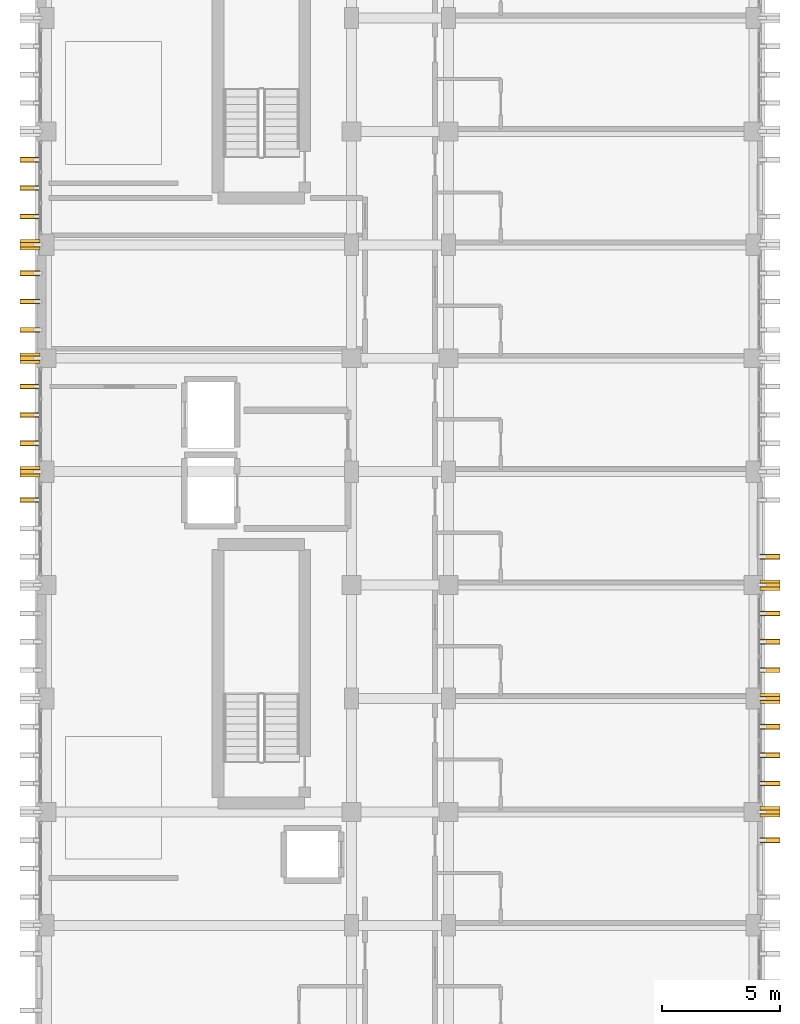
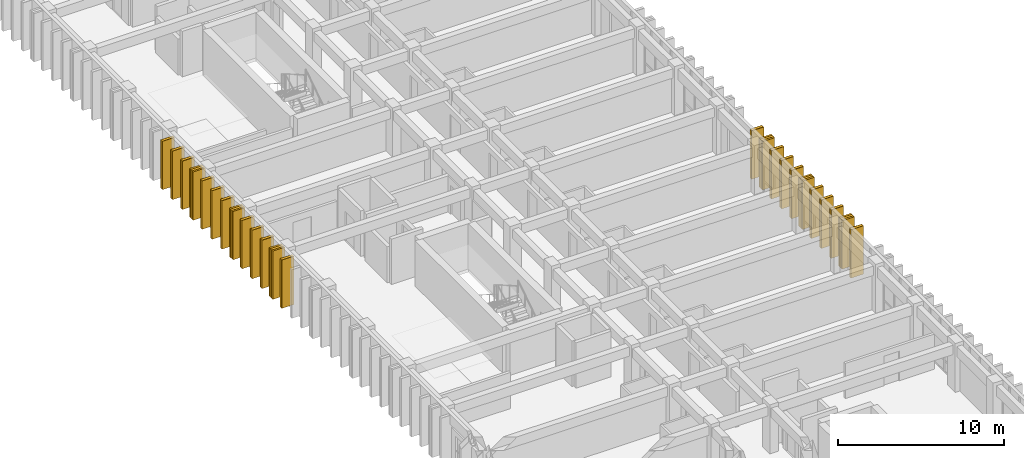
# One storey, part 79 of 82: 24 coverings, 24 shading devices.
"""IFC4 building model written with IfcOpenShell, lengths in metres."""

from ifc_helpers import new_model, si_unit, direction, frame, origin, origin_2d, place, context, subcontext, project, spatial, rectangle, extrude, material, layer, layer_set, type_object, element, save


model = new_model("IFC4")

# Units and contexts
model_context = context("Model", 3, precision=1e-05, world=origin(), true_north=direction((0.0, 1.0)))
body_context = subcontext(model_context, "Body", "Model", "MODEL_VIEW")
ifc_project = project(units=[si_unit("LENGTHUNIT", "METRE"), si_unit("AREAUNIT", "SQUARE_METRE"), si_unit("VOLUMEUNIT", "CUBIC_METRE"), si_unit("PLANEANGLEUNIT", "RADIAN"), si_unit("MASSUNIT", "GRAM", prefix="KILO")], contexts=[model_context])

# Site, building, storey
site_placement = place(None, origin())
site = spatial("IfcSite", under=ifc_project, at=site_placement, CompositionType="ELEMENT")
building_placement = place(site_placement, origin())
building = spatial("IfcBuilding", under=site, at=building_placement, Name="Nakhvara Creek Congress Hotel", CompositionType="ELEMENT")
storey_placement = place(building_placement, frame((0.0, 0.0, 21.0)))
storey = spatial("IfcBuildingStorey", under=building, at=storey_placement, Name="L04", CompositionType="ELEMENT", Elevation=21.0)

# Coverings
ifc_material_1 = material(Name="Honed pale Omani limestone architectural cladding", Category="masonry")
ifc_layer = layer(ifc_material_1, 0.219970703125)
ifc_layer_set = layer_set([ifc_layer], Name="Honed pale Omani limestone architectural cladding")
covering_type = type_object("IfcCoveringType", Name="COV-FIN-850", PredefinedType="CLADDING", material=ifc_layer_set)
covering_1_placement = place(storey_placement, frame((180.054931640625, 75.60009765625, 0.0), z_axis=(0.0, 0.0, 1.0), x_axis=(0.0, 1.0, 0.0)))
element("IfcCovering", 1, at=covering_1_placement, inside=storey, type_object=covering_type, Name="Pale Limestone Fin Cladding CF01-1290", PredefinedType="CLADDING", context=body_context, shape_type="SweptSolid", body=[
    extrude(rectangle(XDim=0.219970703125, YDim=0.85009765625, at=origin_2d()), origin(), (0.0, 0.0, 1.0), 3.56005859375),
])
covering_2_placement = place(storey_placement, frame((180.054931640625, 76.800048828125, 0.0), z_axis=(0.0, 0.0, 1.0), x_axis=(0.0, 1.0, 0.0)))
element("IfcCovering", 2, at=covering_2_placement, inside=storey, type_object=covering_type, Name="Pale Limestone Fin Cladding CF01-1292", PredefinedType="CLADDING", context=body_context, shape_type="SweptSolid", body=[
    extrude(rectangle(XDim=0.43994140625, YDim=0.85009765625, at=origin_2d()), origin(), (0.0, 0.0, 1.0), 3.56005859375),
])
for number, where, z_axis, x_axis, name in (
    (3, (180.054931640625, 78.0, 0.0), (0.0, 0.0, 1.0), (0.0, 1.0, 0.0), "Pale Limestone Fin Cladding CF01-1294"),
    (4, (180.054931640625, 79.199951171875, 0.0), (0.0, 0.0, 1.0), (0.0, 1.0, 0.0), "Pale Limestone Fin Cladding CF01-1296"),
    (5, (180.054931640625, 80.39990234375, 0.0), (0.0, 0.0, 1.0), (0.0, 1.0, 0.0), "Pale Limestone Fin Cladding CF01-1298"),
):
    element("IfcCovering", number, at=place(storey_placement, frame(where, z_axis=z_axis, x_axis=x_axis)), inside=storey, type_object=covering_type, Name=name, PredefinedType="CLADDING", context=body_context, shape_type="SweptSolid", body=[
        extrude(rectangle(XDim=0.219970703125, YDim=0.85009765625, at=origin_2d()), origin(), (0.0, 0.0, 1.0), 3.56005859375),
    ])
covering_3_placement = place(storey_placement, frame((180.054931640625, 81.60009765625, 0.0), z_axis=(0.0, 0.0, 1.0), x_axis=(0.0, 1.0, 0.0)))
element("IfcCovering", 6, at=covering_3_placement, inside=storey, type_object=covering_type, Name="Pale Limestone Fin Cladding CF01-1300", PredefinedType="CLADDING", context=body_context, shape_type="SweptSolid", body=[
    extrude(rectangle(XDim=0.43994140625, YDim=0.85009765625, at=origin_2d()), origin(), (0.0, 0.0, 1.0), 3.56005859375),
])
for number, where, z_axis, x_axis, name in (
    (7, (180.054931640625, 82.800048828125, 0.0), (0.0, 0.0, 1.0), (0.0, 1.0, 0.0), "Pale Limestone Fin Cladding CF01-1302"),
    (8, (180.054931640625, 84.0, 0.0), (0.0, 0.0, 1.0), (0.0, 1.0, 0.0), "Pale Limestone Fin Cladding CF01-1304"),
    (9, (180.054931640625, 85.199951171875, 0.0), (0.0, 0.0, 1.0), (0.0, 1.0, 0.0), "Pale Limestone Fin Cladding CF01-1306"),
):
    element("IfcCovering", number, at=place(storey_placement, frame(where, z_axis=z_axis, x_axis=x_axis)), inside=storey, type_object=covering_type, Name=name, PredefinedType="CLADDING", context=body_context, shape_type="SweptSolid", body=[
        extrude(rectangle(XDim=0.219970703125, YDim=0.85009765625, at=origin_2d()), origin(), (0.0, 0.0, 1.0), 3.56005859375),
    ])
covering_4_placement = place(storey_placement, frame((180.054931640625, 86.39990234375, 0.0), z_axis=(0.0, 0.0, 1.0), x_axis=(0.0, 1.0, 0.0)))
element("IfcCovering", 10, at=covering_4_placement, inside=storey, type_object=covering_type, Name="Pale Limestone Fin Cladding CF01-1308", PredefinedType="CLADDING", context=body_context, shape_type="SweptSolid", body=[
    extrude(rectangle(XDim=0.43994140625, YDim=0.85009765625, at=origin_2d()), origin(), (0.0, 0.0, 1.0), 3.56005859375),
])
for number, where, z_axis, x_axis, name in (
    (11, (180.054931640625, 87.60009765625, 0.0), (0.0, 0.0, 1.0), (0.0, 1.0, 0.0), "Pale Limestone Fin Cladding CF01-1310"),
    (12, (148.7451171875, 90.0, 0.0), (0.0, 0.0, 1.0), (0.0, 1.0, 0.0), "Pale Limestone Fin Cladding CF01-1314"),
):
    element("IfcCovering", number, at=place(storey_placement, frame(where, z_axis=z_axis, x_axis=x_axis)), inside=storey, type_object=covering_type, Name=name, PredefinedType="CLADDING", context=body_context, shape_type="SweptSolid", body=[
        extrude(rectangle(XDim=0.219970703125, YDim=0.85009765625, at=origin_2d()), origin(), (0.0, 0.0, 1.0), 3.56005859375),
    ])
covering_5_placement = place(storey_placement, frame((148.7451171875, 91.199951171875, 0.0), z_axis=(0.0, 0.0, 1.0), x_axis=(0.0, 1.0, 0.0)))
element("IfcCovering", 13, at=covering_5_placement, inside=storey, type_object=covering_type, Name="Pale Limestone Fin Cladding CF01-1316", PredefinedType="CLADDING", context=body_context, shape_type="SweptSolid", body=[
    extrude(rectangle(XDim=0.43994140625, YDim=0.85009765625, at=origin_2d()), origin(), (0.0, 0.0, 1.0), 3.56005859375),
])
for number, where, z_axis, x_axis, name in (
    (14, (148.7451171875, 92.39990234375, 0.0), (0.0, 0.0, 1.0), (0.0, 1.0, 0.0), "Pale Limestone Fin Cladding CF01-1318"),
    (15, (148.7451171875, 93.60009765625, 0.0), (0.0, 0.0, 1.0), (0.0, 1.0, 0.0), "Pale Limestone Fin Cladding CF01-1320"),
    (16, (148.7451171875, 94.800048828125, 0.0), (0.0, 0.0, 1.0), (0.0, 1.0, 0.0), "Pale Limestone Fin Cladding CF01-1322"),
):
    element("IfcCovering", number, at=place(storey_placement, frame(where, z_axis=z_axis, x_axis=x_axis)), inside=storey, type_object=covering_type, Name=name, PredefinedType="CLADDING", context=body_context, shape_type="SweptSolid", body=[
        extrude(rectangle(XDim=0.219970703125, YDim=0.85009765625, at=origin_2d()), origin(), (0.0, 0.0, 1.0), 3.56005859375),
    ])
covering_6_placement = place(storey_placement, frame((148.7451171875, 96.0, 0.0), z_axis=(0.0, 0.0, 1.0), x_axis=(0.0, 1.0, 0.0)))
element("IfcCovering", 17, at=covering_6_placement, inside=storey, type_object=covering_type, Name="Pale Limestone Fin Cladding CF01-1324", PredefinedType="CLADDING", context=body_context, shape_type="SweptSolid", body=[
    extrude(rectangle(XDim=0.43994140625, YDim=0.85009765625, at=origin_2d()), origin(), (0.0, 0.0, 1.0), 3.56005859375),
])
for number, where, z_axis, x_axis, name in (
    (18, (148.7451171875, 97.199951171875, 0.0), (0.0, 0.0, 1.0), (0.0, 1.0, 0.0), "Pale Limestone Fin Cladding CF01-1326"),
    (19, (148.7451171875, 98.39990234375, 0.0), (0.0, 0.0, 1.0), (0.0, 1.0, 0.0), "Pale Limestone Fin Cladding CF01-1328"),
    (20, (148.7451171875, 99.60009765625, 0.0), (0.0, 0.0, 1.0), (0.0, 1.0, 0.0), "Pale Limestone Fin Cladding CF01-1330"),
):
    element("IfcCovering", number, at=place(storey_placement, frame(where, z_axis=z_axis, x_axis=x_axis)), inside=storey, type_object=covering_type, Name=name, PredefinedType="CLADDING", context=body_context, shape_type="SweptSolid", body=[
        extrude(rectangle(XDim=0.219970703125, YDim=0.85009765625, at=origin_2d()), origin(), (0.0, 0.0, 1.0), 3.56005859375),
    ])
covering_7_placement = place(storey_placement, frame((148.7451171875, 100.800048828125, 0.0), z_axis=(0.0, 0.0, 1.0), x_axis=(0.0, 1.0, 0.0)))
element("IfcCovering", 21, at=covering_7_placement, inside=storey, type_object=covering_type, Name="Pale Limestone Fin Cladding CF01-1332", PredefinedType="CLADDING", context=body_context, shape_type="SweptSolid", body=[
    extrude(rectangle(XDim=0.43994140625, YDim=0.85009765625, at=origin_2d()), origin(), (0.0, 0.0, 1.0), 3.56005859375),
])
for number, where, z_axis, x_axis, name in (
    (22, (148.7451171875, 102.0, 0.0), (0.0, 0.0, 1.0), (0.0, 1.0, 0.0), "Pale Limestone Fin Cladding CF01-1334"),
    (23, (148.7451171875, 103.199951171875, 0.0), (0.0, 0.0, 1.0), (0.0, 1.0, 0.0), "Pale Limestone Fin Cladding CF01-1335"),
    (24, (148.7451171875, 104.39990234375, 0.0), (0.0, 0.0, 1.0), (0.0, 1.0, 0.0), "Pale Limestone Fin Cladding CF01-1337"),
):
    element("IfcCovering", number, at=place(storey_placement, frame(where, z_axis=z_axis, x_axis=x_axis)), inside=storey, type_object=covering_type, Name=name, PredefinedType="CLADDING", context=body_context, shape_type="SweptSolid", body=[
        extrude(rectangle(XDim=0.219970703125, YDim=0.85009765625, at=origin_2d()), origin(), (0.0, 0.0, 1.0), 3.56005859375),
    ])

# Shading devices
ifc_material_2 = material(Name="Honed pale Omani limestone cladding on stainless steel spine", Category="masonry")
shading_device_type = type_object("IfcShadingDeviceType", Name="SHD-FIN-850X3600", PredefinedType="USERDEFINED", material=ifc_material_2)
for number, where, z_axis, x_axis, name in (
    (25, (180.054931640625, 75.60009765625, 0.0), (0.0, 0.0, 1.0), (0.0, 1.0, 0.0), "Limestone Solar Fin FN01-1155"),
    (26, (180.054931640625, 76.800048828125, 0.0), (0.0, 0.0, 1.0), (0.0, 1.0, 0.0), "Limestone Solar Fin FN01-1157"),
    (27, (180.054931640625, 78.0, 0.0), (0.0, 0.0, 1.0), (0.0, 1.0, 0.0), "Limestone Solar Fin FN01-1159"),
    (28, (180.054931640625, 79.199951171875, 0.0), (0.0, 0.0, 1.0), (0.0, 1.0, 0.0), "Limestone Solar Fin FN01-1161"),
    (29, (180.054931640625, 80.39990234375, 0.0), (0.0, 0.0, 1.0), (0.0, 1.0, 0.0), "Limestone Solar Fin FN01-1163"),
    (30, (180.054931640625, 81.60009765625, 0.0), (0.0, 0.0, 1.0), (0.0, 1.0, 0.0), "Limestone Solar Fin FN01-1165"),
    (31, (180.054931640625, 82.800048828125, 0.0), (0.0, 0.0, 1.0), (0.0, 1.0, 0.0), "Limestone Solar Fin FN01-1167"),
    (32, (180.054931640625, 84.0, 0.0), (0.0, 0.0, 1.0), (0.0, 1.0, 0.0), "Limestone Solar Fin FN01-1169"),
    (33, (180.054931640625, 85.199951171875, 0.0), (0.0, 0.0, 1.0), (0.0, 1.0, 0.0), "Limestone Solar Fin FN01-1171"),
    (34, (180.054931640625, 86.39990234375, 0.0), (0.0, 0.0, 1.0), (0.0, 1.0, 0.0), "Limestone Solar Fin FN01-1173"),
    (35, (180.054931640625, 87.60009765625, 0.0), (0.0, 0.0, 1.0), (0.0, 1.0, 0.0), "Limestone Solar Fin FN01-1175"),
    (36, (148.7451171875, 90.0, 0.0), (0.0, 0.0, 1.0), (0.0, 1.0, 0.0), "Limestone Solar Fin FN01-1179"),
    (37, (148.7451171875, 91.199951171875, 0.0), (0.0, 0.0, 1.0), (0.0, 1.0, 0.0), "Limestone Solar Fin FN01-1181"),
    (38, (148.7451171875, 92.39990234375, 0.0), (0.0, 0.0, 1.0), (0.0, 1.0, 0.0), "Limestone Solar Fin FN01-1183"),
    (39, (148.7451171875, 93.60009765625, 0.0), (0.0, 0.0, 1.0), (0.0, 1.0, 0.0), "Limestone Solar Fin FN01-1185"),
    (40, (148.7451171875, 94.800048828125, 0.0), (0.0, 0.0, 1.0), (0.0, 1.0, 0.0), "Limestone Solar Fin FN01-1187"),
    (41, (148.7451171875, 96.0, 0.0), (0.0, 0.0, 1.0), (0.0, 1.0, 0.0), "Limestone Solar Fin FN01-1189"),
    (42, (148.7451171875, 97.199951171875, 0.0), (0.0, 0.0, 1.0), (0.0, 1.0, 0.0), "Limestone Solar Fin FN01-1191"),
    (43, (148.7451171875, 98.39990234375, 0.0), (0.0, 0.0, 1.0), (0.0, 1.0, 0.0), "Limestone Solar Fin FN01-1193"),
    (44, (148.7451171875, 99.60009765625, 0.0), (0.0, 0.0, 1.0), (0.0, 1.0, 0.0), "Limestone Solar Fin FN01-1195"),
    (45, (148.7451171875, 100.800048828125, 0.0), (0.0, 0.0, 1.0), (0.0, 1.0, 0.0), "Limestone Solar Fin FN01-1197"),
    (46, (148.7451171875, 102.0, 0.0), (0.0, 0.0, 1.0), (0.0, 1.0, 0.0), "Limestone Solar Fin FN01-1199"),
    (47, (148.7451171875, 103.199951171875, 0.0), (0.0, 0.0, 1.0), (0.0, 1.0, 0.0), "Limestone Solar Fin FN01-1200"),
    (48, (148.7451171875, 104.39990234375, 0.0), (0.0, 0.0, 1.0), (0.0, 1.0, 0.0), "Limestone Solar Fin FN01-1202"),
):
    element("IfcShadingDevice", number, at=place(storey_placement, frame(where, z_axis=z_axis, x_axis=x_axis)), inside=storey, type_object=shading_device_type, Name=name, ObjectType="FIN", PredefinedType="USERDEFINED", context=body_context, shape_type="SweptSolid", body=[
        extrude(rectangle(XDim=0.179931640625, YDim=0.85009765625, at=origin_2d()), origin(), (0.0, 0.0, 1.0), 3.56005859375),
    ])

save(model, "model.ifc")
